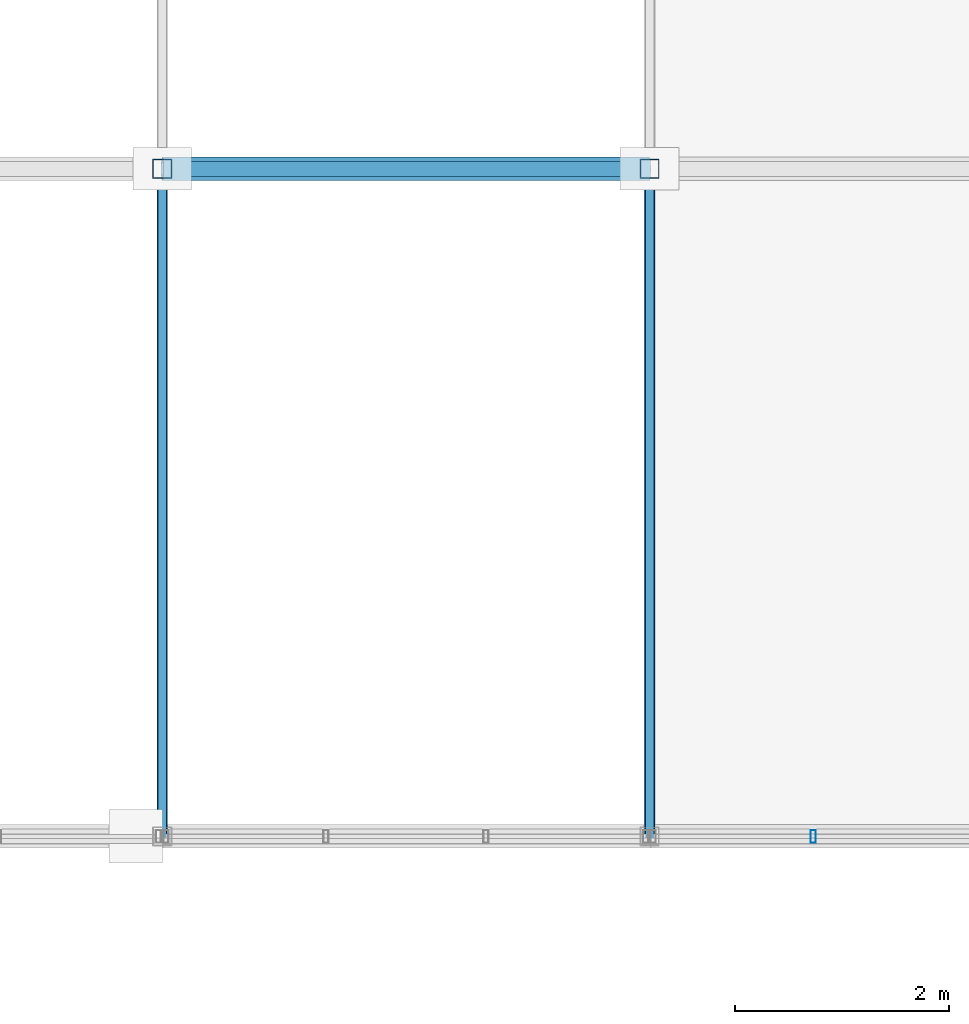
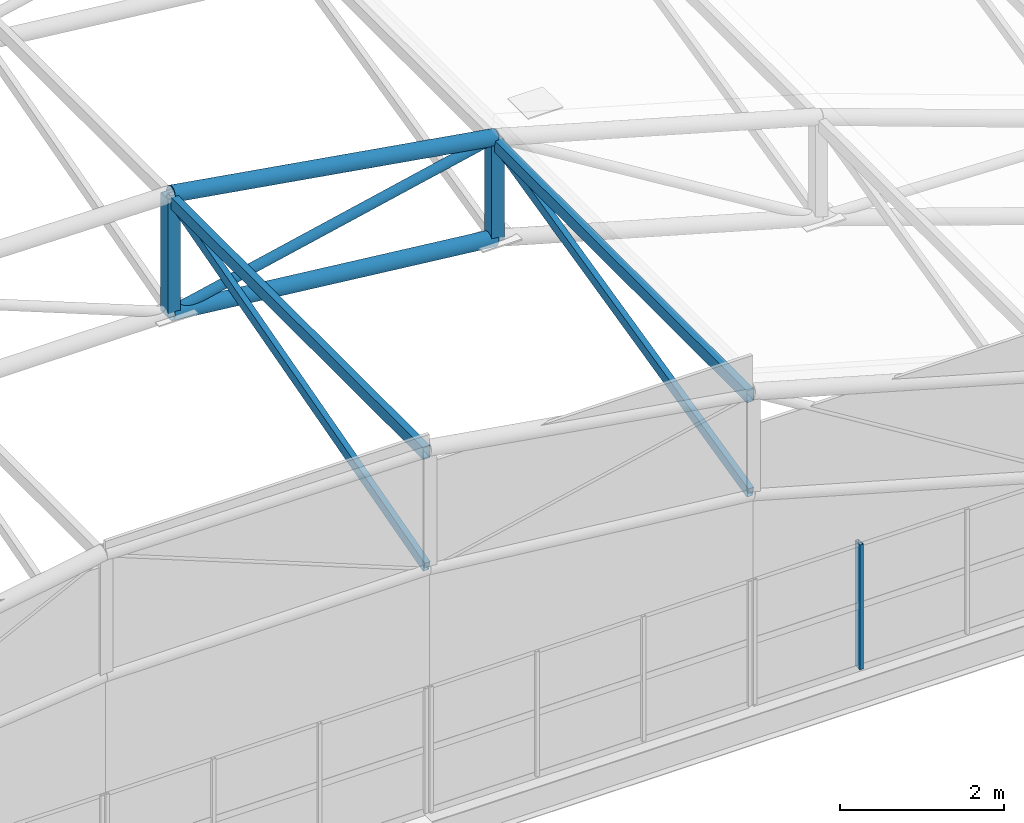
# One storey, part 64 of 101: 10 members, 1 element without a shape of its own.
"""IFC4 building model written with IfcOpenShell, lengths in metres."""

from ifc_helpers import new_model, si_unit, direction, frame, origin, origin_2d, place, context, subcontext, project, spatial, hollow_rectangle, hollow_circle, extrude, material, material_profile, profile_set, type_object, element, aggregate, save


model = new_model("IFC4")

# Units and contexts
model_context = context("Model", 3, precision=1e-05, world=origin(), true_north=direction((0.0, 1.0)))
body_context = subcontext(model_context, "Body", "Model", "MODEL_VIEW")
ifc_project = project(units=[si_unit("LENGTHUNIT", "METRE"), si_unit("AREAUNIT", "SQUARE_METRE"), si_unit("VOLUMEUNIT", "CUBIC_METRE"), si_unit("PLANEANGLEUNIT", "RADIAN"), si_unit("MASSUNIT", "GRAM", prefix="KILO")], contexts=[model_context])

# Site, building, storey
site_placement = place(None, origin())
site = spatial("IfcSite", under=ifc_project, at=site_placement, CompositionType="ELEMENT")
building_placement = place(site_placement, origin())
building = spatial("IfcBuilding", under=site, at=building_placement, Name="Solvikara Media Centre", CompositionType="ELEMENT")
storey_placement = place(building_placement, frame((0.0, 0.0, 10.199951171875)))
storey = spatial("IfcBuildingStorey", under=building, at=storey_placement, Name="L02", CompositionType="ELEMENT", Elevation=10.199951171875)

# Members
ifc_material_1 = material(Name="Steel S355JR", Category="steel")
ifc_material_profile_1 = material_profile(ifc_material_1, hollow_circle(Radius=0.109619140625, WallThickness=0.008056640625, at=origin_2d()), Name="CHS 219.1x8")
ifc_profile_set_1 = profile_set([ifc_material_profile_1], Name="Steel S355JR")
member_type_1 = type_object("IfcMemberType", Name="MB-05", PredefinedType="CHORD", material=ifc_profile_set_1)
member_1_placement = place(storey_placement, frame((145.75, 95.25, 5.41015625), z_axis=(0.986711742418, 0.0, -0.162480575373), x_axis=(0.0, 1.0, 0.0)))
element("IfcMember", 1, at=member_1_placement, inside=storey, type_object=member_type_1, Name="BSB-TC-01-04", PredefinedType="CHORD", context=body_context, shape_type="SweptSolid", body=[
    extrude(hollow_circle(Radius=0.109619140625, WallThickness=0.008056640625, at=origin_2d()), origin(), (0.0, 0.0, 1.0), 4.62353515625),
])
member_2_placement = place(storey_placement, frame((145.75, 95.25, 3.650146484375), z_axis=(0.994253057295, 0.0, -0.107055397157), x_axis=(0.0, 1.0, 0.0)))
element("IfcMember", 2, at=member_2_placement, inside=storey, type_object=member_type_1, Name="BSB-BC-01-04", PredefinedType="CHORD", context=body_context, shape_type="SweptSolid", body=[
    extrude(hollow_circle(Radius=0.109619140625, WallThickness=0.008056640625, at=origin_2d()), origin(), (0.0, 0.0, 1.0), 4.58837890625),
])
ifc_material_profile_2 = material_profile(ifc_material_1, hollow_circle(Radius=0.06982421875, WallThickness=0.00634765625, at=origin_2d()), Name="CHS 139.7x6.3")
ifc_profile_set_2 = profile_set([ifc_material_profile_2], Name="Steel S355JR")
member_type_2 = type_object("IfcMemberType", Name="MB-08", PredefinedType="BRACE", material=ifc_profile_set_2)
member_3_placement = place(storey_placement, frame((145.75, 95.25, 3.650146484375), z_axis=(0.976412757167, 0.0, 0.215912314707), x_axis=(0.0, 1.0, 0.0)))
element("IfcMember", 3, at=member_3_placement, inside=storey, type_object=member_type_2, Name="BSB-DG-01-04", PredefinedType="BRACE", context=body_context, shape_type="SweptSolid", body=[
    extrude(hollow_circle(Radius=0.06982421875, WallThickness=0.00634765625, at=origin_2d()), origin(), (0.0, 0.0, 1.0), 4.672119140625),
])
ifc_material_profile_3 = material_profile(ifc_material_1, hollow_rectangle(XDim=0.179931640625, YDim=0.179931640625, WallThickness=0.008056640625, at=origin_2d()), Name="RHS 180x180x8")
ifc_profile_set_3 = profile_set([ifc_material_profile_3], Name="Steel S355JR")
member_type_3 = type_object("IfcMemberType", Name="MB-14", PredefinedType="BRACE", material=ifc_profile_set_3)
member_4_placement = place(storey_placement, frame((145.75, 95.25, 3.650146484375), z_axis=(0.0, 0.0, 1.0), x_axis=(1.0, 0.0, 0.0)))
element("IfcMember", 4, at=member_4_placement, inside=storey, type_object=member_type_3, Name="BSB-VT-01-04", PredefinedType="BRACE", context=body_context, shape_type="SweptSolid", body=[
    extrude(hollow_rectangle(XDim=0.179931640625, YDim=0.179931640625, WallThickness=0.008056640625, at=origin_2d()), origin(), (0.0, 0.0, 1.0), 1.760009765625),
])
member_5_placement = place(storey_placement, frame((150.31201171875, 95.25, 3.158935546875), z_axis=(0.0, 0.0, 1.0), x_axis=(1.0, 0.0, 0.0)))
element("IfcMember", 5, at=member_5_placement, inside=storey, type_object=member_type_3, Name="BSB-VT-01-05", PredefinedType="BRACE", context=body_context, shape_type="SweptSolid", body=[
    extrude(hollow_rectangle(XDim=0.179931640625, YDim=0.179931640625, WallThickness=0.008056640625, at=origin_2d()), origin(), (0.0, 0.0, 1.0), 1.5),
])
ifc_material_profile_4 = material_profile(ifc_material_1, hollow_rectangle(XDim=0.10009765625, YDim=0.179931640625, WallThickness=0.0048828125, at=origin_2d()), Name="RHS 180x100x5")
ifc_profile_set_4 = profile_set([ifc_material_profile_4], Name="Steel S355JR")
member_type_4 = type_object("IfcMemberType", Name="MB-18", PredefinedType="PURLIN", material=ifc_profile_set_4)
for number, where, z_axis, x_axis, name in (
    (6, (145.75, 89.0, 5.344970703125), (0.0, 1.0, 0.0), (-1.0, 0.0, 0.0), "BSB-PRL-00-04"),
    (7, (150.31201171875, 89.0, 4.593994140625), (0.0, 1.0, 0.0), (-1.0, 0.0, 0.0), "BSB-PRL-00-05"),
):
    element("IfcMember", number, at=place(storey_placement, frame(where, z_axis=z_axis, x_axis=x_axis)), inside=storey, type_object=member_type_4, Name=name, PredefinedType="PURLIN", context=body_context, shape_type="SweptSolid", body=[
        extrude(hollow_rectangle(XDim=0.10009765625, YDim=0.179931640625, WallThickness=0.0048828125, at=origin_2d()), origin(), (0.0, 0.0, 1.0), 6.25),
    ])
ifc_material_profile_5 = material_profile(ifc_material_1, hollow_rectangle(XDim=0.080078125, YDim=0.14990234375, WallThickness=0.0048828125, at=origin_2d()), Name="RHS 150x80x5")
ifc_profile_set_5 = profile_set([ifc_material_profile_5], Name="Steel S355JR")
member_type_5 = type_object("IfcMemberType", Name="MB-27", PredefinedType="PURLIN", material=ifc_profile_set_5)
member_6_placement = place(storey_placement, frame((145.75, 89.0, 3.650146484375), z_axis=(0.0, 0.963964319598, 0.266031559295), x_axis=(-1.0, 0.0, 0.0)))
element("IfcMember", 8, at=member_6_placement, inside=storey, type_object=member_type_5, Name="BSB-3D-00-04", PredefinedType="PURLIN", context=body_context, shape_type="SweptSolid", body=[
    extrude(hollow_rectangle(XDim=0.080078125, YDim=0.14990234375, WallThickness=0.0048828125, at=origin_2d()), origin(), (0.0, 0.0, 1.0), 6.483642578125),
])
member_7_placement = place(storey_placement, frame((150.31201171875, 89.0, 3.158935546875), z_axis=(0.0, 0.973607860399, 0.228227373838), x_axis=(-1.0, 0.0, 0.0)))
element("IfcMember", 9, at=member_7_placement, inside=storey, type_object=member_type_5, Name="BSB-3D-00-05", PredefinedType="PURLIN", context=body_context, shape_type="SweptSolid", body=[
    extrude(hollow_rectangle(XDim=0.080078125, YDim=0.14990234375, WallThickness=0.0048828125, at=origin_2d()), origin(), (0.0, 0.0, 1.0), 6.41943359375),
])

# Curtain wall, member
ifc_material_2 = material(Name="Anodised aluminium EN AW-6063", Category="aluminium")
curtain_wall_type = type_object("IfcCurtainWallType", Name="CW-12", PredefinedType="NOTDEFINED", material=ifc_material_2)
curtain_wall_placement = place(storey_placement, origin())
curtain_wall = element("IfcCurtainWall", 10, at=curtain_wall_placement, inside=storey, type_object=curtain_wall_type, Name="CW-BSBS-CLR-05", PredefinedType="NOTDEFINED")
ifc_material_profile_6 = material_profile(ifc_material_2, hollow_rectangle(XDim=0.050048828125, YDim=0.1201171875, WallThickness=0.0029296875, at=origin_2d()), Name="ALU-M 50x120x3")
ifc_profile_set_6 = profile_set([ifc_material_profile_6], Name="Anodised aluminium EN AW-6063")
member_type_6 = type_object("IfcMemberType", Name="MF-06", PredefinedType="MULLION", material=ifc_profile_set_6)
member_8_placement = place(storey_placement, frame((151.844970703125, 89.0, 0.02001953125), z_axis=(0.0, 0.0, 1.0), x_axis=(1.0, 0.0, 0.0)))
member_8 = element("IfcMember", 11, at=member_8_placement, type_object=member_type_6, Name="CW-BSBS-CLR-05-M01", PredefinedType="MULLION", context=body_context, shape_type="SweptSolid", body=[
    extrude(hollow_rectangle(XDim=0.050048828125, YDim=0.1201171875, WallThickness=0.0029296875, at=origin_2d()), origin(), (0.0, 0.0, 1.0), 1.860107421875),
])
aggregate(curtain_wall, [member_8])

save(model, "model.ifc")
